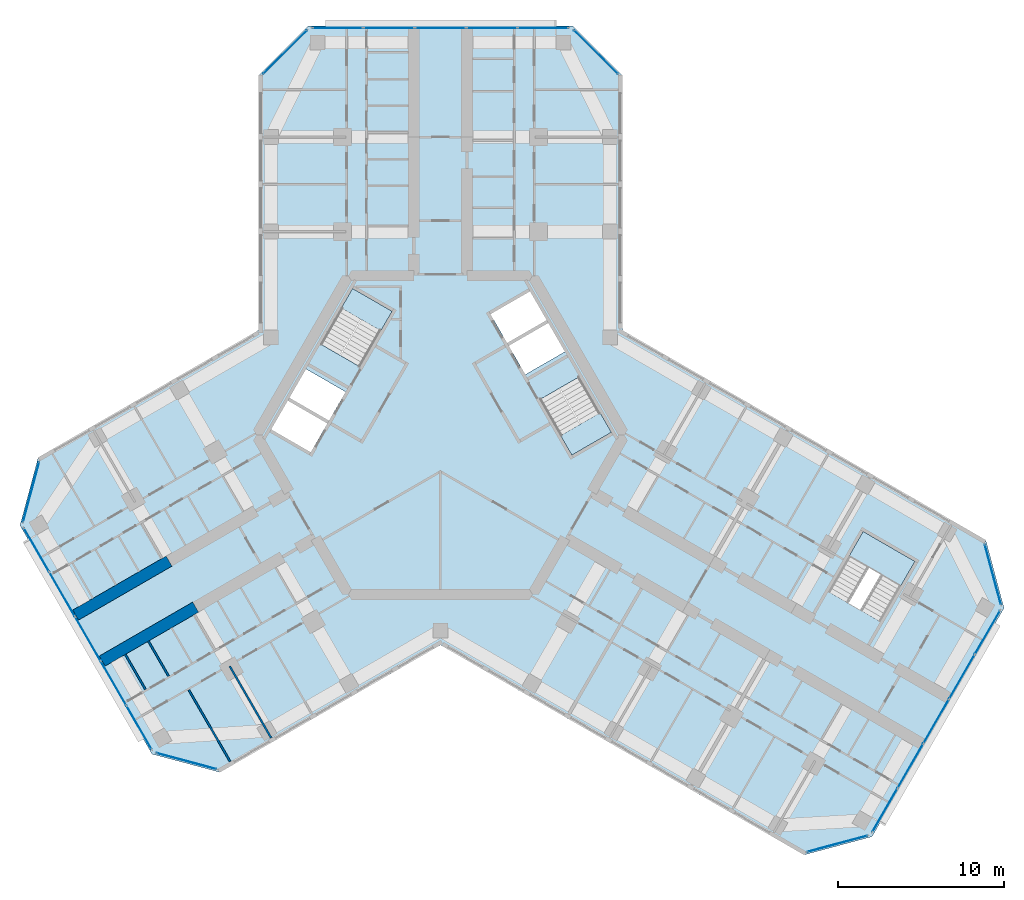
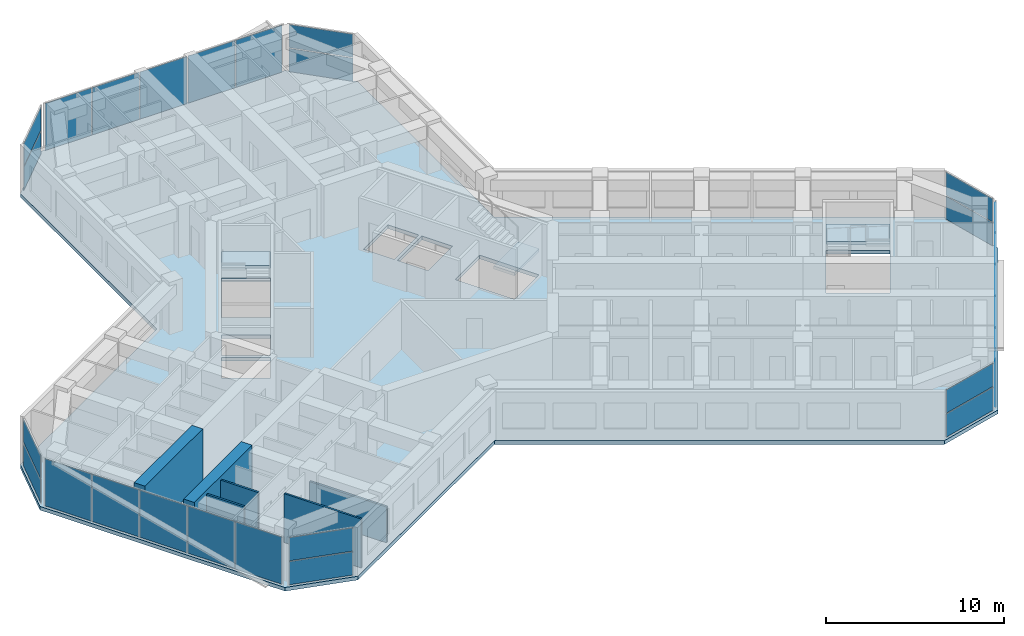
# One storey, part 7 of 16: 27 plates, 6 walls, 4 slabs, 12 elements without a shape of their own.
"""IFC4 building model written with IfcOpenShell, lengths in metres."""

from ifc_helpers import new_model, si_unit, direction, frame, frame_2d, origin, origin_2d, place, context, subcontext, project, spatial, polyline, rectangle, outline, extrude, material, layer, layer_set, type_object, element, aggregate, save


model = new_model("IFC4")

# Units and contexts
model_context = context("Model", 3, precision=1e-05, world=origin(), true_north=direction((0.0, 1.0)))
body_context = subcontext(model_context, "Body", "Model", "MODEL_VIEW")
ifc_project = project(units=[si_unit("LENGTHUNIT", "METRE"), si_unit("AREAUNIT", "SQUARE_METRE"), si_unit("VOLUMEUNIT", "CUBIC_METRE"), si_unit("PLANEANGLEUNIT", "RADIAN"), si_unit("MASSUNIT", "GRAM", prefix="KILO")], contexts=[model_context])

# Site, building, storey
site_placement = place(None, origin())
site = spatial("IfcSite", under=ifc_project, at=site_placement, CompositionType="ELEMENT")
building_placement = place(site_placement, origin())
building = spatial("IfcBuilding", under=site, at=building_placement, Name="Kosmar Iwan School Tower", CompositionType="ELEMENT")
storey_placement = place(building_placement, frame((0.0, 0.0, 219.0)))
storey = spatial("IfcBuildingStorey", under=building, at=storey_placement, Name="L55", CompositionType="ELEMENT", Elevation=219.0)

# Curtain wall, plates
ifc_material_1 = material(Name="Dark glass in black aluminium frame", Category="aluminium")
curtain_wall_type_1 = type_object("IfcCurtainWallType", Name="Chamfer curtain wall dark glass", PredefinedType="USERDEFINED", material=ifc_material_1)
curtain_wall_1_placement = place(storey_placement, origin())
curtain_wall_1 = element("IfcCurtainWall", 1, at=curtain_wall_1_placement, inside=storey, type_object=curtain_wall_type_1, Name="Curtain wall L55-F00", ObjectType="FACETED CURTAIN WALL", PredefinedType="USERDEFINED")
ifc_material_2 = material(Name="Dark glass", Category="glass")
ifc_layer_1 = layer(ifc_material_2, 0.028076171875)
ifc_layer_set_1 = layer_set([ifc_layer_1], Name="Dark glass panel 28")
plate_type = type_object("IfcPlateType", Name="Dark glass panel 28", PredefinedType="CURTAIN_PANEL", material=ifc_layer_set_1)
plate_1_placement = place(storey_placement, frame((23.908203125, -24.61328125, 0.06005859375), z_axis=(0.0, 0.0, 1.0), x_axis=(0.965925875495, 0.258818861462, 0.0)))
plate_1 = element("IfcPlate", 2, at=plate_1_placement, type_object=plate_type, Name="CW2 panel 1.1", PredefinedType="CURTAIN_PANEL", context=body_context, shape_type="SweptSolid", body=[
    extrude(rectangle(XDim=3.718994140625, YDim=0.028076171875, at=origin_2d()), origin(), (0.0, 0.0, 1.0), 1.5849609375),
])
plate_2_placement = place(storey_placement, frame((23.908203125, -24.61328125, 1.705078125), z_axis=(0.0, 0.0, 1.0), x_axis=(0.965925875495, 0.258818861462, 0.0)))
plate_2 = element("IfcPlate", 3, at=plate_2_placement, type_object=plate_type, Name="CW2 panel 1.2", PredefinedType="CURTAIN_PANEL", context=body_context, shape_type="SweptSolid", body=[
    extrude(rectangle(XDim=3.718994140625, YDim=0.028076171875, at=origin_2d()), origin(), (0.0, 0.0, 1.0), 1.5849609375),
])
aggregate(curtain_wall_1, [plate_1, plate_2])

ifc_material_3 = material(Name="Dark glass in black aluminium frame", Category="aluminium")
curtain_wall_type_2 = type_object("IfcCurtainWallType", Name="Tower curtain wall dark glass", PredefinedType="USERDEFINED", material=ifc_material_3)
curtain_wall_2_placement = place(storey_placement, origin())
curtain_wall_2 = element("IfcCurtainWall", 4, at=curtain_wall_2_placement, inside=storey, type_object=curtain_wall_type_2, Name="Curtain wall L55-F01", ObjectType="UNITISED CURTAIN WALL", PredefinedType="USERDEFINED")
plate_3_placement = place(storey_placement, frame((26.764404296875, -22.592529296875, 0.06005859375), z_axis=(0.0, 0.0, 1.0), x_axis=(0.499999997325, 0.866025405329, 0.0)))
plate_3 = element("IfcPlate", 5, at=plate_3_placement, type_object=plate_type, Name="CW1 panel 1.1", PredefinedType="CURTAIN_PANEL", context=body_context, shape_type="SweptSolid", body=[
    extrude(rectangle(XDim=3.00927734375, YDim=0.028076171875, at=origin_2d()), origin(), (0.0, 0.0, 1.0), 3.22998046875),
])
plate_4_placement = place(storey_placement, frame((28.306640625, -19.921630859375, 0.06005859375), z_axis=(0.0, 0.0, 1.0), x_axis=(0.499999997325, 0.866025405329, 0.0)))
plate_4 = element("IfcPlate", 6, at=plate_4_placement, type_object=plate_type, Name="CW1 panel 2.1", PredefinedType="CURTAIN_PANEL", context=body_context, shape_type="SweptSolid", body=[
    extrude(rectangle(XDim=3.039306640625, YDim=0.028076171875, at=origin_2d()), origin(), (0.0, 0.0, 1.0), 3.22998046875),
])
plate_5_placement = place(storey_placement, frame((29.856201171875, -17.237548828125, 0.06005859375), z_axis=(0.0, 0.0, 1.0), x_axis=(0.499999997325, 0.866025405329, 0.0)))
plate_5 = element("IfcPlate", 7, at=plate_5_placement, type_object=plate_type, Name="CW1 panel 3.1", PredefinedType="CURTAIN_PANEL", context=body_context, shape_type="SweptSolid", body=[
    extrude(rectangle(XDim=3.039306640625, YDim=0.028076171875, at=origin_2d()), origin(), (0.0, 0.0, 1.0), 3.22998046875),
])
plate_6_placement = place(storey_placement, frame((31.40576171875, -14.553466796875, 0.06005859375), z_axis=(0.0, 0.0, 1.0), x_axis=(0.499999997325, 0.866025405329, 0.0)))
plate_6 = element("IfcPlate", 8, at=plate_6_placement, type_object=plate_type, Name="CW1 panel 4.1", PredefinedType="CURTAIN_PANEL", context=body_context, shape_type="SweptSolid", body=[
    extrude(rectangle(XDim=3.039306640625, YDim=0.028076171875, at=origin_2d()), origin(), (0.0, 0.0, 1.0), 3.22998046875),
])
plate_7_placement = place(storey_placement, frame((32.947998046875, -11.88232421875, 0.06005859375), z_axis=(0.0, 0.0, 1.0), x_axis=(0.499999997325, 0.866025405329, 0.0)))
plate_7 = element("IfcPlate", 9, at=plate_7_placement, type_object=plate_type, Name="CW1 panel 5.1", PredefinedType="CURTAIN_PANEL", context=body_context, shape_type="SweptSolid", body=[
    extrude(rectangle(XDim=3.00927734375, YDim=0.028076171875, at=origin_2d()), origin(), (0.0, 0.0, 1.0), 3.22998046875),
])
aggregate(curtain_wall_2, [plate_3, plate_4, plate_5, plate_6, plate_7])

curtain_wall_3_placement = place(storey_placement, origin())
curtain_wall_3 = element("IfcCurtainWall", 10, at=curtain_wall_3_placement, inside=storey, type_object=curtain_wall_type_1, Name="Curtain wall L55-F02", ObjectType="FACETED CURTAIN WALL", PredefinedType="USERDEFINED")
plate_8_placement = place(storey_placement, frame((33.269775390625, -8.3984375, 0.06005859375), z_axis=(0.0, 0.0, 1.0), x_axis=(-0.258818861462, 0.965925875495, 0.0)))
plate_8 = element("IfcPlate", 11, at=plate_8_placement, type_object=plate_type, Name="CW2 panel 1.1", PredefinedType="CURTAIN_PANEL", context=body_context, shape_type="SweptSolid", body=[
    extrude(rectangle(XDim=3.718994140625, YDim=0.028076171875, at=origin_2d()), origin(), (0.0, 0.0, 1.0), 1.5849609375),
])
plate_9_placement = place(storey_placement, frame((33.269775390625, -8.3984375, 1.705078125), z_axis=(0.0, 0.0, 1.0), x_axis=(-0.258818861462, 0.965925875495, 0.0)))
plate_9 = element("IfcPlate", 12, at=plate_9_placement, type_object=plate_type, Name="CW2 panel 1.2", PredefinedType="CURTAIN_PANEL", context=body_context, shape_type="SweptSolid", body=[
    extrude(rectangle(XDim=3.718994140625, YDim=0.028076171875, at=origin_2d()), origin(), (0.0, 0.0, 1.0), 1.5849609375),
])
aggregate(curtain_wall_3, [plate_8, plate_9])

curtain_wall_4_placement = place(storey_placement, origin())
curtain_wall_4 = element("IfcCurtainWall", 13, at=curtain_wall_4_placement, inside=storey, type_object=curtain_wall_type_1, Name="Curtain wall L55-F05", ObjectType="FACETED CURTAIN WALL", PredefinedType="USERDEFINED")
plate_10_placement = place(storey_placement, frame((9.361572265625, 23.0615234375, 0.06005859375), z_axis=(0.0, 0.0, 1.0), x_axis=(-0.707106781187, 0.707106781187, 0.0)))
plate_10 = element("IfcPlate", 14, at=plate_10_placement, type_object=plate_type, Name="CW2 panel 1.1", PredefinedType="CURTAIN_PANEL", context=body_context, shape_type="SweptSolid", body=[
    extrude(rectangle(XDim=3.718994140625, YDim=0.028076171875, at=origin_2d()), origin(), (0.0, 0.0, 1.0), 1.5849609375),
])
plate_11_placement = place(storey_placement, frame((9.361572265625, 23.0615234375, 1.705078125), z_axis=(0.0, 0.0, 1.0), x_axis=(-0.707106781187, 0.707106781187, 0.0)))
plate_11 = element("IfcPlate", 15, at=plate_11_placement, type_object=plate_type, Name="CW2 panel 1.2", PredefinedType="CURTAIN_PANEL", context=body_context, shape_type="SweptSolid", body=[
    extrude(rectangle(XDim=3.718994140625, YDim=0.028076171875, at=origin_2d()), origin(), (0.0, 0.0, 1.0), 1.5849609375),
])
aggregate(curtain_wall_4, [plate_10, plate_11])

curtain_wall_5_placement = place(storey_placement, origin())
curtain_wall_5 = element("IfcCurtainWall", 16, at=curtain_wall_5_placement, inside=storey, type_object=curtain_wall_type_2, Name="Curtain wall L55-F06", ObjectType="UNITISED CURTAIN WALL", PredefinedType="USERDEFINED")
plate_12_placement = place(storey_placement, frame((6.18359375, 24.52490234375, 0.06005859375), z_axis=(0.0, 0.0, 1.0), x_axis=(-1.0, 0.0, 0.0)))
plate_12 = element("IfcPlate", 17, at=plate_12_placement, type_object=plate_type, Name="CW1 panel 1.1", PredefinedType="CURTAIN_PANEL", context=body_context, shape_type="SweptSolid", body=[
    extrude(rectangle(XDim=3.00927734375, YDim=0.028076171875, at=origin_2d()), origin(), (0.0, 0.0, 1.0), 3.22998046875),
])
plate_13_placement = place(storey_placement, frame((3.099365234375, 24.52490234375, 0.06005859375), z_axis=(0.0, 0.0, 1.0), x_axis=(-1.0, 0.0, 0.0)))
plate_13 = element("IfcPlate", 18, at=plate_13_placement, type_object=plate_type, Name="CW1 panel 2.1", PredefinedType="CURTAIN_PANEL", context=body_context, shape_type="SweptSolid", body=[
    extrude(rectangle(XDim=3.039306640625, YDim=0.028076171875, at=origin_2d()), origin(), (0.0, 0.0, 1.0), 3.22998046875),
])
plate_14_placement = place(storey_placement, frame((0.0, 24.52490234375, 0.06005859375), z_axis=(0.0, 0.0, 1.0), x_axis=(-1.0, 0.0, 0.0)))
plate_14 = element("IfcPlate", 19, at=plate_14_placement, type_object=plate_type, Name="CW1 panel 3.1", PredefinedType="CURTAIN_PANEL", context=body_context, shape_type="SweptSolid", body=[
    extrude(rectangle(XDim=3.039306640625, YDim=0.028076171875, at=origin_2d()), origin(), (0.0, 0.0, 1.0), 3.22998046875),
])
plate_15_placement = place(storey_placement, frame((-3.099365234375, 24.52490234375, 0.06005859375), z_axis=(0.0, 0.0, 1.0), x_axis=(-1.0, 0.0, 0.0)))
plate_15 = element("IfcPlate", 20, at=plate_15_placement, type_object=plate_type, Name="CW1 panel 4.1", PredefinedType="CURTAIN_PANEL", context=body_context, shape_type="SweptSolid", body=[
    extrude(rectangle(XDim=3.039306640625, YDim=0.028076171875, at=origin_2d()), origin(), (0.0, 0.0, 1.0), 3.22998046875),
])
plate_16_placement = place(storey_placement, frame((-6.18359375, 24.52490234375, 0.06005859375), z_axis=(0.0, 0.0, 1.0), x_axis=(-1.0, 0.0, 0.0)))
plate_16 = element("IfcPlate", 21, at=plate_16_placement, type_object=plate_type, Name="CW1 panel 5.1", PredefinedType="CURTAIN_PANEL", context=body_context, shape_type="SweptSolid", body=[
    extrude(rectangle(XDim=3.00927734375, YDim=0.028076171875, at=origin_2d()), origin(), (0.0, 0.0, 1.0), 3.22998046875),
])
aggregate(curtain_wall_5, [plate_12, plate_13, plate_14, plate_15, plate_16])

curtain_wall_6_placement = place(storey_placement, origin())
curtain_wall_6 = element("IfcCurtainWall", 22, at=curtain_wall_6_placement, inside=storey, type_object=curtain_wall_type_1, Name="Curtain wall L55-F07", ObjectType="FACETED CURTAIN WALL", PredefinedType="USERDEFINED")
plate_17_placement = place(storey_placement, frame((-9.361572265625, 23.0615234375, 0.06005859375), z_axis=(0.0, 0.0, 1.0), x_axis=(-0.707106781187, -0.707106781187, 0.0)))
plate_17 = element("IfcPlate", 23, at=plate_17_placement, type_object=plate_type, Name="CW2 panel 1.1", PredefinedType="CURTAIN_PANEL", context=body_context, shape_type="SweptSolid", body=[
    extrude(rectangle(XDim=3.718994140625, YDim=0.028076171875, at=origin_2d()), origin(), (0.0, 0.0, 1.0), 1.5849609375),
])
plate_18_placement = place(storey_placement, frame((-9.361572265625, 23.0615234375, 1.705078125), z_axis=(0.0, 0.0, 1.0), x_axis=(-0.707106781187, -0.707106781187, 0.0)))
plate_18 = element("IfcPlate", 24, at=plate_18_placement, type_object=plate_type, Name="CW2 panel 1.2", PredefinedType="CURTAIN_PANEL", context=body_context, shape_type="SweptSolid", body=[
    extrude(rectangle(XDim=3.718994140625, YDim=0.028076171875, at=origin_2d()), origin(), (0.0, 0.0, 1.0), 1.5849609375),
])
aggregate(curtain_wall_6, [plate_17, plate_18])

curtain_wall_7_placement = place(storey_placement, origin())
curtain_wall_7 = element("IfcCurtainWall", 25, at=curtain_wall_7_placement, inside=storey, type_object=curtain_wall_type_1, Name="Curtain wall L55-F10", ObjectType="FACETED CURTAIN WALL", PredefinedType="USERDEFINED")
plate_19_placement = place(storey_placement, frame((-24.65283203125, -3.42333984375, 0.06005859375), z_axis=(0.0, 0.0, 1.0), x_axis=(-0.258818861462, -0.965925875495, 0.0)))
plate_19 = element("IfcPlate", 26, at=plate_19_placement, type_object=plate_type, Name="CW2 panel 1.1", PredefinedType="CURTAIN_PANEL", context=body_context, shape_type="SweptSolid", body=[
    extrude(rectangle(XDim=3.718994140625, YDim=0.028076171875, at=origin_2d()), origin(), (0.0, 0.0, 1.0), 1.5849609375),
])
plate_20_placement = place(storey_placement, frame((-24.65283203125, -3.42333984375, 1.705078125), z_axis=(0.0, 0.0, 1.0), x_axis=(-0.258818861462, -0.965925875495, 0.0)))
plate_20 = element("IfcPlate", 27, at=plate_20_placement, type_object=plate_type, Name="CW2 panel 1.2", PredefinedType="CURTAIN_PANEL", context=body_context, shape_type="SweptSolid", body=[
    extrude(rectangle(XDim=3.718994140625, YDim=0.028076171875, at=origin_2d()), origin(), (0.0, 0.0, 1.0), 1.5849609375),
])
aggregate(curtain_wall_7, [plate_19, plate_20])

curtain_wall_8_placement = place(storey_placement, origin())
curtain_wall_8 = element("IfcCurtainWall", 28, at=curtain_wall_8_placement, inside=storey, type_object=curtain_wall_type_2, Name="Curtain wall L55-F11", ObjectType="UNITISED CURTAIN WALL", PredefinedType="USERDEFINED")
plate_21_placement = place(storey_placement, frame((-24.3310546875, -6.907470703125, 0.06005859375), z_axis=(0.0, 0.0, 1.0), x_axis=(0.499999997325, -0.866025405329, 0.0)))
plate_21 = element("IfcPlate", 29, at=plate_21_placement, type_object=plate_type, Name="CW1 panel 1.1", PredefinedType="CURTAIN_PANEL", context=body_context, shape_type="SweptSolid", body=[
    extrude(rectangle(XDim=3.00927734375, YDim=0.028076171875, at=origin_2d()), origin(), (0.0, 0.0, 1.0), 3.22998046875),
])
plate_22_placement = place(storey_placement, frame((-22.788818359375, -9.578369140625, 0.06005859375), z_axis=(0.0, 0.0, 1.0), x_axis=(0.499999997325, -0.866025405329, 0.0)))
plate_22 = element("IfcPlate", 30, at=plate_22_placement, type_object=plate_type, Name="CW1 panel 2.1", PredefinedType="CURTAIN_PANEL", context=body_context, shape_type="SweptSolid", body=[
    extrude(rectangle(XDim=3.039306640625, YDim=0.028076171875, at=origin_2d()), origin(), (0.0, 0.0, 1.0), 3.22998046875),
])
plate_23_placement = place(storey_placement, frame((-21.2392578125, -12.262451171875, 0.06005859375), z_axis=(0.0, 0.0, 1.0), x_axis=(0.499999997325, -0.866025405329, 0.0)))
plate_23 = element("IfcPlate", 31, at=plate_23_placement, type_object=plate_type, Name="CW1 panel 3.1", PredefinedType="CURTAIN_PANEL", context=body_context, shape_type="SweptSolid", body=[
    extrude(rectangle(XDim=3.039306640625, YDim=0.028076171875, at=origin_2d()), origin(), (0.0, 0.0, 1.0), 3.22998046875),
])
plate_24_placement = place(storey_placement, frame((-19.689697265625, -14.946533203125, 0.06005859375), z_axis=(0.0, 0.0, 1.0), x_axis=(0.499999997325, -0.866025405329, 0.0)))
plate_24 = element("IfcPlate", 32, at=plate_24_placement, type_object=plate_type, Name="CW1 panel 4.1", PredefinedType="CURTAIN_PANEL", context=body_context, shape_type="SweptSolid", body=[
    extrude(rectangle(XDim=3.039306640625, YDim=0.028076171875, at=origin_2d()), origin(), (0.0, 0.0, 1.0), 3.22998046875),
])
plate_25_placement = place(storey_placement, frame((-18.1474609375, -17.61767578125, 0.06005859375), z_axis=(0.0, 0.0, 1.0), x_axis=(0.499999997325, -0.866025405329, 0.0)))
plate_25 = element("IfcPlate", 33, at=plate_25_placement, type_object=plate_type, Name="CW1 panel 5.1", PredefinedType="CURTAIN_PANEL", context=body_context, shape_type="SweptSolid", body=[
    extrude(rectangle(XDim=3.00927734375, YDim=0.028076171875, at=origin_2d()), origin(), (0.0, 0.0, 1.0), 3.22998046875),
])
aggregate(curtain_wall_8, [plate_21, plate_22, plate_23, plate_24, plate_25])

curtain_wall_9_placement = place(storey_placement, origin())
curtain_wall_9 = element("IfcCurtainWall", 34, at=curtain_wall_9_placement, inside=storey, type_object=curtain_wall_type_1, Name="Curtain wall L55-F12", ObjectType="FACETED CURTAIN WALL", PredefinedType="USERDEFINED")
plate_26_placement = place(storey_placement, frame((-15.291015625, -19.63818359375, 0.06005859375), z_axis=(0.0, 0.0, 1.0), x_axis=(0.965925875495, -0.258818861462, 0.0)))
plate_26 = element("IfcPlate", 35, at=plate_26_placement, type_object=plate_type, Name="CW2 panel 1.1", PredefinedType="CURTAIN_PANEL", context=body_context, shape_type="SweptSolid", body=[
    extrude(rectangle(XDim=3.718994140625, YDim=0.028076171875, at=origin_2d()), origin(), (0.0, 0.0, 1.0), 1.5849609375),
])
plate_27_placement = place(storey_placement, frame((-15.291015625, -19.63818359375, 1.705078125), z_axis=(0.0, 0.0, 1.0), x_axis=(0.965925875495, -0.258818861462, 0.0)))
plate_27 = element("IfcPlate", 36, at=plate_27_placement, type_object=plate_type, Name="CW2 panel 1.2", PredefinedType="CURTAIN_PANEL", context=body_context, shape_type="SweptSolid", body=[
    extrude(rectangle(XDim=3.718994140625, YDim=0.028076171875, at=origin_2d()), origin(), (0.0, 0.0, 1.0), 1.5849609375),
])
aggregate(curtain_wall_9, [plate_26, plate_27])

# Stair, slab
ifc_material_4 = material(Name="Concrete C35/45", Category="concrete")
stair_type_1 = type_object("IfcStairType", Name="Escape stair 3600", PredefinedType="HALF_TURN_STAIR", material=ifc_material_4)
stair_1_placement = place(storey_placement, origin())
stair_1 = element("IfcStair", 37, at=stair_1_placement, inside=storey, type_object=stair_type_1, Name="Stair WS3 L55", PredefinedType="HALF_TURN_STAIR")
ifc_material_5 = material(Name="Concrete C35/45", Category="concrete")
ifc_layer_2 = layer(ifc_material_5, 0.199951171875)
ifc_layer_set_2 = layer_set([ifc_layer_2], Name="Escape stair landing 200")
slab_type_1 = type_object("IfcSlabType", Name="Escape stair landing 200", PredefinedType="LANDING", material=ifc_layer_set_2)
slab_1_placement = place(storey_placement, frame((0.0, 0.0, 1.60009765625)))
slab_1 = element("IfcSlab", 38, at=slab_1_placement, type_object=slab_type_1, Name="WS3 landing 1", PredefinedType="LANDING", context=body_context, shape_type="SweptSolid", body=[
    extrude(outline(polyline([(24.607421875, -7.27880859375), (27.72509765625, -9.078857421875), (28.574951171875, -7.606689453125), (25.457275390625, -5.806640625), (24.607421875, -7.27880859375)])), origin(), (0.0, 0.0, 1.0), 0.199951171875),
])
aggregate(stair_1, [slab_1])

# Slab
ifc_material_6 = material(Name="Concrete C35/45", Category="concrete")
ifc_layer_3 = layer(ifc_material_6, 0.25)
ifc_layer_set_3 = layer_set([ifc_layer_3], Name="Floor slab 250")
slab_type_2 = type_object("IfcSlabType", Name="Floor slab 250", PredefinedType="FLOOR", material=ifc_layer_set_3)
slab_2_placement = place(storey_placement, frame((0.0, 0.0, -0.25)))
element("IfcSlab", 39, at=slab_2_placement, inside=storey, type_object=slab_type_2, Name="L55 floor slab", PredefinedType="FLOOR", context=body_context, shape_type="SweptSolid", body=[
    extrude(outline(polyline([(21.891357421875, -25.282958984375), (25.989501953125, -24.184814453125), (33.939453125, -10.4150390625), (32.84130859375, -6.317138671875), (10.949951171875, 6.322021484375), (10.949951171875, 21.64990234375), (7.949951171875, 24.64990234375), (-7.949951171875, 24.64990234375), (-10.949951171875, 21.64990234375), (-10.949951171875, 6.322021484375), (-24.224365234375, -1.342041015625), (-25.322509765625, -5.440185546875), (-17.37255859375, -19.2099609375), (-13.2744140625, -20.307861328125), (0.0, -12.64404296875), (21.891357421875, -25.282958984375)]), holes=[polyline([(7.91259765625, -1.205078125), (10.294189453125, 0.169921875), (8.3642578125, 3.5126953125), (5.982666015625, 2.1376953125), (7.91259765625, -1.205078125)]), polyline([(-2.91259765625, 7.455078125), (-5.294189453125, 8.830078125), (-7.22412109375, 5.4873046875), (-4.8427734375, 4.1123046875), (-2.91259765625, 7.455078125)]), polyline([(-5.712646484375, 2.60546875), (-8.09423828125, 3.98046875), (-9.09423828125, 2.248291015625), (-6.712646484375, 0.873291015625), (-5.712646484375, 2.60546875)]), polyline([(-6.812744140625, 0.7001953125), (-9.1943359375, 2.0751953125), (-10.1943359375, 0.343017578125), (-7.812744140625, -1.031982421875), (-6.812744140625, 0.7001953125)]), polyline([(5.112548828125, 3.64453125), (7.494140625, 5.01953125), (6.494140625, 6.751708984375), (4.112548828125, 5.376708984375), (5.112548828125, 3.64453125)]), polyline([(4.0126953125, 5.5498046875), (6.394287109375, 6.9248046875), (5.394287109375, 8.656982421875), (3.0126953125, 7.281982421875), (4.0126953125, 5.5498046875)]), polyline([(23.367431640625, -9.426513671875), (26.485107421875, -11.2265625), (28.574951171875, -7.606689453125), (25.457275390625, -5.806640625), (23.367431640625, -9.426513671875)])]), origin(), (0.0, 0.0, 1.0), 0.25),
])

# Stair, slab
ifc_material_7 = material(Name="Concrete C35/45", Category="concrete")
stair_type_2 = type_object("IfcStairType", Name="Core stair 2750", PredefinedType="HALF_TURN_STAIR", material=ifc_material_7)
stair_2_placement = place(storey_placement, origin())
stair_2 = element("IfcStair", 40, at=stair_2_placement, inside=storey, type_object=stair_type_2, Name="Stair ST2 L55", PredefinedType="HALF_TURN_STAIR")
ifc_material_8 = material(Name="Concrete C35/45", Category="concrete")
ifc_layer_4 = layer(ifc_material_8, 0.199951171875)
ifc_layer_set_4 = layer_set([ifc_layer_4], Name="Stair landing 200")
slab_type_3 = type_object("IfcSlabType", Name="Stair landing 200", PredefinedType="LANDING", material=ifc_layer_set_4)
slab_3_placement = place(storey_placement, frame((0.0, 0.0, 1.60009765625)))
slab_3 = element("IfcSlab", 41, at=slab_3_placement, type_object=slab_type_3, Name="ST2 landing 1", PredefinedType="LANDING", context=body_context, shape_type="SweptSolid", body=[
    extrude(outline(polyline([(-2.91259765625, 7.455078125), (-5.294189453125, 8.830078125), (-5.97412109375, 7.65234375), (-3.5927734375, 6.27734375), (-2.91259765625, 7.455078125)])), origin(), (0.0, 0.0, 1.0), 0.199951171875),
])
aggregate(stair_2, [slab_3])

stair_3_placement = place(storey_placement, origin())
stair_3 = element("IfcStair", 42, at=stair_3_placement, inside=storey, type_object=stair_type_2, Name="Stair ST1 L55", PredefinedType="HALF_TURN_STAIR")
slab_4_placement = place(storey_placement, frame((0.0, 0.0, 1.60009765625)))
slab_4 = element("IfcSlab", 43, at=slab_4_placement, type_object=slab_type_3, Name="ST1 landing 1", PredefinedType="LANDING", context=body_context, shape_type="SweptSolid", body=[
    extrude(outline(polyline([(7.91259765625, -1.205078125), (10.294189453125, 0.169921875), (9.6142578125, 1.34765625), (7.232666015625, -0.02734375), (7.91259765625, -1.205078125)])), origin(), (0.0, 0.0, 1.0), 0.199951171875),
])
aggregate(stair_3, [slab_4])

# Walls
ifc_material_9 = material(Name="Concrete C50/60", Category="concrete")
ifc_layer_5 = layer(ifc_material_9, 0.699951171875)
ifc_layer_set_5 = layer_set([ifc_layer_5], Name="Corridor buttress wall 700")
wall_type_1 = type_object("IfcWallType", Name="Corridor buttress wall 700", PredefinedType="SHEAR", material=ifc_layer_set_5)
wall_1_placement = place(storey_placement, frame((-14.7451171875, -10.360595703125, 0.0), z_axis=(0.0, 0.0, 1.0), x_axis=(-0.866027848477, -0.499995765644, 0.0)))
element("IfcWall", 44, at=wall_1_placement, inside=storey, type_object=wall_type_1, Name="Corridor wall BL bay 2", PredefinedType="SHEAR", context=body_context, shape_type="SweptSolid", body=[
    extrude(rectangle(XDim=6.4951171875, YDim=0.699951171875, at=frame_2d((3.24755859375, 0.0))), origin(), (0.0, 0.0, 1.0), 3.60009765625),
])
wall_2_placement = place(storey_placement, frame((-16.34521484375, -7.58935546875, 0.0), z_axis=(0.0, 0.0, 1.0), x_axis=(-0.866018451174, -0.500012042081, 0.0)))
element("IfcWall", 45, at=wall_2_placement, inside=storey, type_object=wall_type_1, Name="Corridor wall BR bay 2", PredefinedType="SHEAR", context=body_context, shape_type="SweptSolid", body=[
    extrude(rectangle(XDim=6.494873046875, YDim=0.699951171875, at=frame_2d((3.24755859375, 0.0))), origin(), (0.0, 0.0, 1.0), 3.60009765625),
])
ifc_material_10 = material(Name="Gypsum board on steel studs", Category="steel")
ifc_layer_6 = layer(ifc_material_10, 0.1201171875)
ifc_layer_set_6 = layer_set([ifc_layer_6], Name="Dwelling partition 120")
wall_type_2 = type_object("IfcWallType", Name="Dwelling partition 120", PredefinedType="PARTITIONING", material=ifc_layer_set_6)
wall_3_placement = place(storey_placement, frame((-12.690185546875, -13.919921875, 0.0), z_axis=(0.0, 0.0, 1.0), x_axis=(0.500011847778, -0.866018563358, 0.0)))
element("IfcWall", 46, at=wall_3_placement, inside=storey, type_object=wall_type_2, Name="Partition L55-BL1-X2", PredefinedType="PARTITIONING", context=body_context, shape_type="SweptSolid", body=[
    extrude(rectangle(XDim=4.990234375, YDim=0.1201171875, at=frame_2d((2.4951171875, 0.0))), origin(), (0.0, 0.0, 1.0), 2.449951171875),
])
wall_4_placement = place(storey_placement, frame((-15.158447265625, -15.344970703125, 0.0), z_axis=(0.0, 0.0, 1.0), x_axis=(0.500011847778, -0.866018563358, 0.0)))
element("IfcWall", 47, at=wall_4_placement, inside=storey, type_object=wall_type_2, Name="Partition L55-BL1-X3", PredefinedType="PARTITIONING", context=body_context, shape_type="SweptSolid", body=[
    extrude(rectangle(XDim=4.990234375, YDim=0.1201171875, at=frame_2d((2.4951171875, 0.0))), origin(), (0.0, 0.0, 1.0), 3.35009765625),
])
wall_5_placement = place(storey_placement, frame((-17.589599609375, -12.406982421875, 0.0), z_axis=(0.0, 0.0, 1.0), x_axis=(0.499959183527, -0.866048967903, 0.0)))
element("IfcWall", 48, at=wall_5_placement, inside=storey, type_object=wall_type_2, Name="Partition L55-BL1-Y6", PredefinedType="PARTITIONING", context=body_context, shape_type="SweptSolid", body=[
    extrude(rectangle(XDim=2.440185546875, YDim=0.1201171875, at=frame_2d((1.22021484375, 0.0))), origin(), (0.0, 0.0, 1.0), 3.35009765625),
])
wall_6_placement = place(storey_placement, frame((-18.981201171875, -13.21044921875, 0.0), z_axis=(0.0, 0.0, 1.0), x_axis=(0.500077547548, -0.865980627057, 0.0)))
element("IfcWall", 49, at=wall_6_placement, inside=storey, type_object=wall_type_2, Name="Partition L55-BL1-Y7", PredefinedType="PARTITIONING", context=body_context, shape_type="SweptSolid", body=[
    extrude(rectangle(XDim=2.43994140625, YDim=0.1201171875, at=frame_2d((1.219970703125, 0.0))), origin(), (0.0, 0.0, 1.0), 3.35009765625),
])

save(model, "model.ifc")
